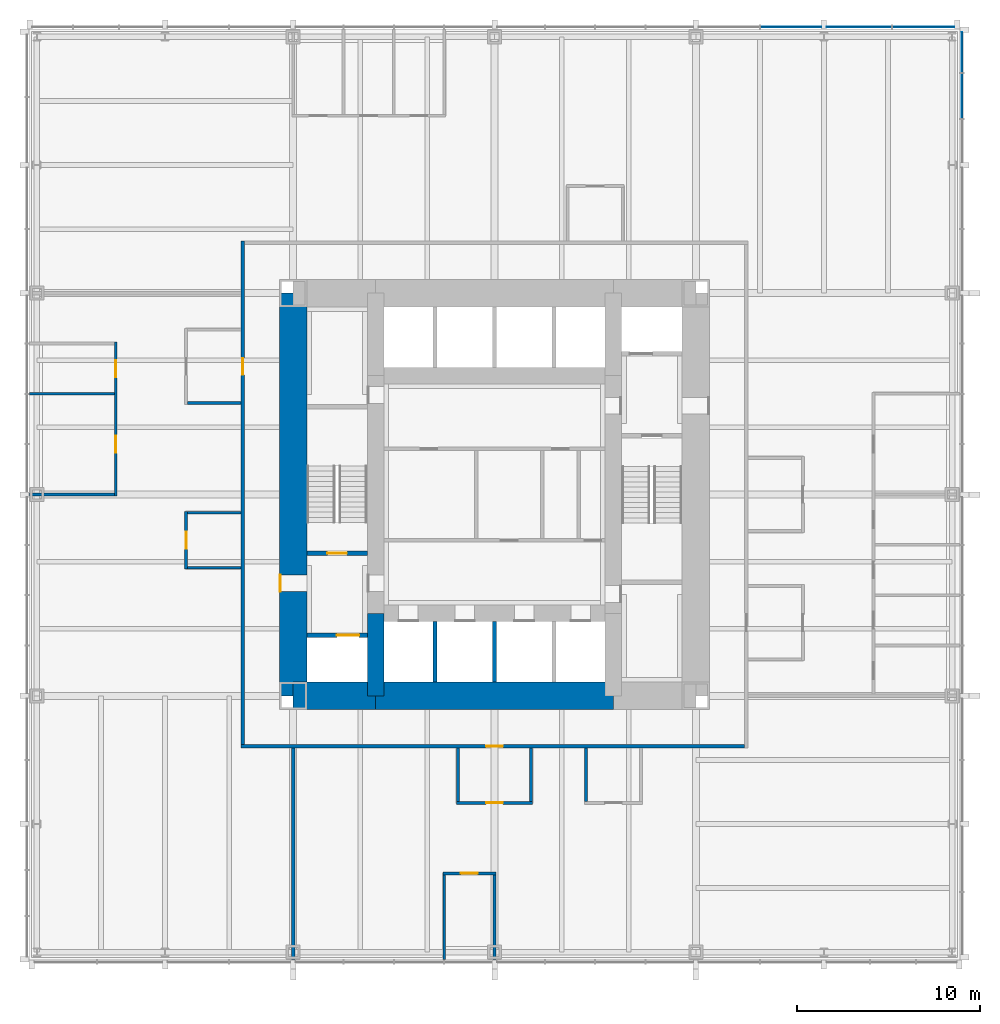
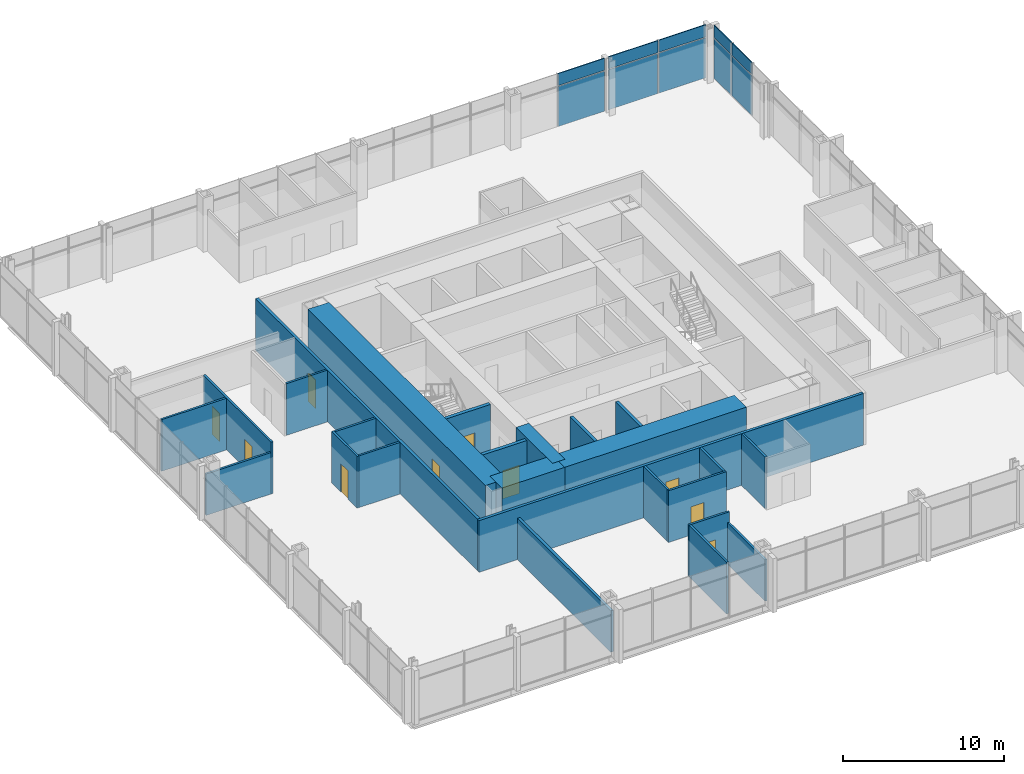
# One storey, part 9 of 12: 25 walls, 10 doors, 10 plates, 10 openings, 2 elements without a shape of their own.
"""IFC4 building model written with IfcOpenShell, lengths in metres."""

from ifc_helpers import new_model, si_unit, direction, frame, frame_2d, origin, origin_2d, place, context, subcontext, project, spatial, rectangle, extrude, material, layer, layer_set, type_object, element, fill, aggregate, save


model = new_model("IFC4")

# Units and contexts
model_context = context("Model", 3, precision=1e-05, world=origin(), true_north=direction((0.0, 1.0)))
body_context = subcontext(model_context, "Body", "Model", "MODEL_VIEW")
ifc_project = project(units=[si_unit("LENGTHUNIT", "METRE"), si_unit("AREAUNIT", "SQUARE_METRE"), si_unit("VOLUMEUNIT", "CUBIC_METRE"), si_unit("PLANEANGLEUNIT", "RADIAN"), si_unit("MASSUNIT", "GRAM", prefix="KILO")], contexts=[model_context])

# Site, building, storey
site_placement = place(None, origin())
site = spatial("IfcSite", under=ifc_project, at=site_placement, CompositionType="ELEMENT")
building_placement = place(site_placement, origin())
building = spatial("IfcBuilding", under=site, at=building_placement, Name="Trevanion Tower", CompositionType="ELEMENT")
storey_placement = place(building_placement, frame((0.0, 0.0, 36.5)))
storey = spatial("IfcBuildingStorey", under=building, at=storey_placement, Name="L08", CompositionType="ELEMENT", Elevation=36.5)

# Curtain wall, plates
ifc_material_1 = material(Name="Aluminium and glass", Category="aluminium")
curtain_wall_type = type_object("IfcCurtainWallType", Name="CW1 curtain wall", PredefinedType="USERDEFINED", material=ifc_material_1)
curtain_wall_1_placement = place(storey_placement, origin())
curtain_wall_1 = element("IfcCurtainWall", 1, at=curtain_wall_1_placement, inside=storey, type_object=curtain_wall_type, Name="CW1 L08 0", ObjectType="UNITISED CURTAIN WALL", PredefinedType="USERDEFINED")
ifc_material_2 = material(Name="Aluminium spandrel panel", Category="aluminium")
ifc_layer_1 = layer(ifc_material_2, 0.06005859375)
ifc_layer_set_1 = layer_set([ifc_layer_1], Name="CW1 spandrel panel")
plate_type_1 = type_object("IfcPlateType", Name="CW1 spandrel panel", PredefinedType="CURTAIN_PANEL", material=ifc_layer_set_1)
plate_1_placement = place(storey_placement, frame((25.550048828125, 21.77490234375, 2.997314453125), z_axis=(0.0, 0.0, 1.0), x_axis=(0.0, 1.0, 0.0)))
plate_1 = element("IfcPlate", 2, at=plate_1_placement, type_object=plate_type_1, Name="CW1 panel 16.2", PredefinedType="CURTAIN_PANEL", context=body_context, shape_type="SweptSolid", body=[
    extrude(rectangle(XDim=2.441650390625, YDim=0.06005859375, at=origin_2d()), origin(), (0.0, 0.0, 1.0), 0.91259765625),
])
plate_2_placement = place(storey_placement, frame((25.550048828125, 24.160400390625, 2.997314453125), z_axis=(0.0, 0.0, 1.0), x_axis=(0.0, 1.0, 0.0)))
plate_2 = element("IfcPlate", 3, at=plate_2_placement, type_object=plate_type_1, Name="CW1 panel 17.2", PredefinedType="CURTAIN_PANEL", context=body_context, shape_type="SweptSolid", body=[
    extrude(rectangle(XDim=2.17919921875, YDim=0.06005859375, at=origin_2d()), origin(), (0.0, 0.0, 1.0), 0.91259765625),
])

curtain_wall_2_placement = place(storey_placement, origin())
curtain_wall_2 = element("IfcCurtainWall", 4, at=curtain_wall_2_placement, inside=storey, type_object=curtain_wall_type, Name="CW1 L08 1", ObjectType="UNITISED CURTAIN WALL", PredefinedType="USERDEFINED")
plate_3_placement = place(storey_placement, frame((23.433837890625, 25.550048828125, 2.997314453125), z_axis=(0.0, 0.0, 1.0), x_axis=(-1.0, 0.0, 0.0)))
plate_3 = element("IfcPlate", 5, at=plate_3_placement, type_object=plate_type_1, Name="CW1 panel 1.2", PredefinedType="CURTAIN_PANEL", context=body_context, shape_type="SweptSolid", body=[
    extrude(rectangle(XDim=3.37255859375, YDim=0.06005859375, at=origin_2d()), origin(), (0.0, 0.0, 1.0), 0.91259765625),
])
plate_4_placement = place(storey_placement, frame((19.911376953125, 25.550048828125, 2.997314453125), z_axis=(0.0, 0.0, 1.0), x_axis=(-1.0, 0.0, 0.0)))
plate_4 = element("IfcPlate", 6, at=plate_4_placement, type_object=plate_type_1, Name="CW1 panel 2.2", PredefinedType="CURTAIN_PANEL", context=body_context, shape_type="SweptSolid", body=[
    extrude(rectangle(XDim=3.5224609375, YDim=0.06005859375, at=origin_2d()), origin(), (0.0, 0.0, 1.0), 0.91259765625),
])
plate_5_placement = place(storey_placement, frame((16.19384765625, 25.550048828125, 2.997314453125), z_axis=(0.0, 0.0, 1.0), x_axis=(-1.0, 0.0, 0.0)))
plate_5 = element("IfcPlate", 7, at=plate_5_placement, type_object=plate_type_1, Name="CW1 panel 3.2", PredefinedType="CURTAIN_PANEL", context=body_context, shape_type="SweptSolid", body=[
    extrude(rectangle(XDim=3.3125, YDim=0.06005859375, at=origin_2d()), origin(), (0.0, 0.0, 1.0), 0.91259765625),
])

# Plate
ifc_material_3 = material(Name="Insulating glass unit", Category="glass")
ifc_layer_2 = layer(ifc_material_3, 0.028076171875)
ifc_layer_set_2 = layer_set([ifc_layer_2], Name="CW1 vision panel")
plate_type_2 = type_object("IfcPlateType", Name="CW1 vision panel", PredefinedType="CURTAIN_PANEL", material=ifc_layer_set_2)
plate_6_placement = place(storey_placement, frame((25.550048828125, 21.77490234375, -0.114990234375), z_axis=(0.0, 0.0, 1.0), x_axis=(0.0, 1.0, 0.0)))
plate_6 = element("IfcPlate", 8, at=plate_6_placement, type_object=plate_type_2, Name="CW1 panel 16.1", PredefinedType="CURTAIN_PANEL", context=body_context, shape_type="SweptSolid", body=[
    extrude(rectangle(XDim=2.441650390625, YDim=0.028076171875, at=origin_2d()), origin(), (0.0, 0.0, 1.0), 3.03759765625),
])

plate_7_placement = place(storey_placement, frame((25.550048828125, 24.160400390625, -0.114990234375), z_axis=(0.0, 0.0, 1.0), x_axis=(0.0, 1.0, 0.0)))
plate_7 = element("IfcPlate", 9, at=plate_7_placement, type_object=plate_type_2, Name="CW1 panel 17.1", PredefinedType="CURTAIN_PANEL", context=body_context, shape_type="SweptSolid", body=[
    extrude(rectangle(XDim=2.17919921875, YDim=0.028076171875, at=origin_2d()), origin(), (0.0, 0.0, 1.0), 3.03759765625),
])

aggregate(curtain_wall_1, [plate_6, plate_1, plate_7, plate_2])

plate_8_placement = place(storey_placement, frame((23.433837890625, 25.550048828125, -0.114990234375), z_axis=(0.0, 0.0, 1.0), x_axis=(-1.0, 0.0, 0.0)))
plate_8 = element("IfcPlate", 10, at=plate_8_placement, type_object=plate_type_2, Name="CW1 panel 1.1", PredefinedType="CURTAIN_PANEL", context=body_context, shape_type="SweptSolid", body=[
    extrude(rectangle(XDim=3.37255859375, YDim=0.028076171875, at=origin_2d()), origin(), (0.0, 0.0, 1.0), 3.03759765625),
])

plate_9_placement = place(storey_placement, frame((19.911376953125, 25.550048828125, -0.114990234375), z_axis=(0.0, 0.0, 1.0), x_axis=(-1.0, 0.0, 0.0)))
plate_9 = element("IfcPlate", 11, at=plate_9_placement, type_object=plate_type_2, Name="CW1 panel 2.1", PredefinedType="CURTAIN_PANEL", context=body_context, shape_type="SweptSolid", body=[
    extrude(rectangle(XDim=3.5224609375, YDim=0.028076171875, at=origin_2d()), origin(), (0.0, 0.0, 1.0), 3.03759765625),
])

plate_10_placement = place(storey_placement, frame((16.19384765625, 25.550048828125, -0.114990234375), z_axis=(0.0, 0.0, 1.0), x_axis=(-1.0, 0.0, 0.0)))
plate_10 = element("IfcPlate", 12, at=plate_10_placement, type_object=plate_type_2, Name="CW1 panel 3.1", PredefinedType="CURTAIN_PANEL", context=body_context, shape_type="SweptSolid", body=[
    extrude(rectangle(XDim=3.3125, YDim=0.028076171875, at=origin_2d()), origin(), (0.0, 0.0, 1.0), 3.03759765625),
])

aggregate(curtain_wall_2, [plate_8, plate_3, plate_9, plate_4, plate_10, plate_5])

# Wall, opening, door
ifc_material_4 = material(Name="Concrete 10,000 psi", Category="concrete")
ifc_layer_3 = layer(ifc_material_4, 1.5)
ifc_layer_set_3 = layer_set([ifc_layer_3], Name="CW1 core wall 1500")
wall_type_1 = type_object("IfcWallType", Name="CW1 core wall 1500", PredefinedType="SHEAR", material=ifc_layer_set_3)
wall_1_placement = place(storey_placement, frame((-11.0, 11.0, 0.0), z_axis=(0.0, 0.0, 1.0), x_axis=(0.0, -1.0, 0.0)))
wall_1 = element("IfcWall", 13, at=wall_1_placement, inside=storey, type_object=wall_type_1, Name="CW1 CW L08", PredefinedType="SHEAR", context=body_context, shape_type="SweptSolid", body=[
    extrude(rectangle(XDim=22.0, YDim=1.5, at=frame_2d((11.0, 0.0))), origin(), (0.0, 0.0, 1.0), 4.10009765625),
])
opening_1_placement = place(wall_1_placement, frame((15.392578125, 0.0, 0.0)))
opening_1 = element("IfcOpeningElement", 14, at=opening_1_placement, cuts=wall_1, Name="Opening 08-002", PredefinedType="OPENING", context=body_context, shape_type="SweptSolid", body=[
    extrude(rectangle(XDim=0.9150390625, YDim=2.134033203125, at=frame_2d((0.45751953125, 1.06689453125))), frame((0.0, 0.760009765625, 0.0), z_axis=(0.0, -1.0, 0.0), x_axis=(1.0, 0.0, 0.0)), (0.0, 0.0, 1.0), 1.52001953125),
])
ifc_material_5 = material(Name="Hollow metal, fire rated", Category="steel")
door_type_1 = type_object("IfcDoorType", Name="D3 fire lift lobby door", OperationType="SINGLE_SWING_RIGHT", PredefinedType="DOOR", material=ifc_material_5)
door_1_placement = place(opening_1_placement, origin())
door_1 = element("IfcDoor", 15, at=door_1_placement, inside=storey, type_object=door_type_1, Name="Door 08-002", OperationType="SINGLE_SWING_RIGHT", OverallHeight=2.134033203125, OverallWidth=0.9150390625, PredefinedType="DOOR", context=body_context, shape_type="SweptSolid", body=[
    extrude(rectangle(XDim=0.9150390625, YDim=2.134033203125, at=frame_2d((0.45751953125, 1.06689453125))), frame((0.0, -0.6748046875, 0.0), z_axis=(0.0, -1.0, 0.0), x_axis=(1.0, 0.0, 0.0)), (0.0, 0.0, 1.0), 0.050048828125),
])
fill(opening_1, door_1)

# Walls
wall_2_placement = place(storey_placement, frame((-11.0, -11.0, 0.0), z_axis=(0.0, 0.0, 1.0), x_axis=(1.0, 0.0, 0.0)))
element("IfcWall", 16, at=wall_2_placement, inside=storey, type_object=wall_type_1, Name="CW1 CS1 L08", PredefinedType="SHEAR", context=body_context, shape_type="SweptSolid", body=[
    extrude(rectangle(XDim=4.5, YDim=1.5, at=frame_2d((2.25, 0.0))), origin(), (0.0, 0.0, 1.0), 4.10009765625),
])
wall_3_placement = place(storey_placement, frame((-6.5, -11.0, 0.0), z_axis=(0.0, 0.0, 1.0), x_axis=(1.0, 0.0, 0.0)))
element("IfcWall", 17, at=wall_3_placement, inside=storey, type_object=wall_type_1, Name="CW1 CS2 L08", PredefinedType="SHEAR", context=body_context, shape_type="SweptSolid", body=[
    extrude(rectangle(XDim=13.0, YDim=1.5, at=frame_2d((6.5, 0.0))), origin(), (0.0, 0.0, 1.0), 4.10009765625),
])
ifc_material_6 = material(Name="Concrete 10,000 psi", Category="concrete")
ifc_layer_4 = layer(ifc_material_6, 0.89990234375)
ifc_layer_set_4 = layer_set([ifc_layer_4], Name="CW2 core wall 900")
wall_type_2 = type_object("IfcWallType", Name="CW2 core wall 900", PredefinedType="SHEAR", material=ifc_layer_set_4)
wall_4_placement = place(storey_placement, frame((-6.5, -6.5, 0.0), z_axis=(0.0, 0.0, 1.0), x_axis=(0.0, -1.0, 0.0)))
element("IfcWall", 18, at=wall_4_placement, inside=storey, type_object=wall_type_2, Name="CW2 RW3 L08", PredefinedType="SHEAR", context=body_context, shape_type="SweptSolid", body=[
    extrude(rectangle(XDim=4.5, YDim=0.89990234375, at=frame_2d((2.25, 0.0))), origin(), (0.0, 0.0, 1.0), 4.10009765625),
])

# Wall, openings, doors
ifc_material_7 = material(Name="Gypsum board on steel studs", Category="steel")
ifc_layer_5 = layer(ifc_material_7, 0.14990234375)
ifc_layer_set_5 = layer_set([ifc_layer_5], Name="PT1 partition 150")
wall_type_3 = type_object("IfcWallType", Name="PT1 partition 150", PredefinedType="PARTITIONING", material=ifc_layer_set_5)
wall_5_placement = place(storey_placement, frame((-20.699951171875, 8.324951171875, 0.0), z_axis=(0.0, 0.0, 1.0), x_axis=(0.0, -1.0, 0.0)))
wall_5 = element("IfcWall", 19, at=wall_5_placement, inside=storey, type_object=wall_type_3, Name="PT1 L08 FC2F", PredefinedType="PARTITIONING", context=body_context, shape_type="SweptSolid", body=[
    extrude(rectangle(XDim=8.39990234375, YDim=0.14990234375, at=frame_2d((4.199951171875, 0.0))), origin(), (0.0, 0.0, 1.0), 3.909912109375),
])
opening_2_placement = place(wall_5_placement, frame((0.992431640625, 0.0, 0.0)))
opening_2 = element("IfcOpeningElement", 20, at=opening_2_placement, cuts=wall_5, Name="Opening 08-027", PredefinedType="OPENING", context=body_context, shape_type="SweptSolid", body=[
    extrude(rectangle(XDim=0.9150390625, YDim=2.134033203125, at=frame_2d((0.45751953125, 1.06689453125))), frame((0.0, 0.0849609375, 0.0), z_axis=(0.0, -1.0, 0.0), x_axis=(1.0, 0.0, 0.0)), (0.0, 0.0, 1.0), 0.169921875),
])
opening_3_placement = place(wall_5_placement, frame((5.117431640625, 0.0, 0.0)))
opening_3 = element("IfcOpeningElement", 21, at=opening_3_placement, cuts=wall_5, Name="Opening 08-028", PredefinedType="OPENING", context=body_context, shape_type="SweptSolid", body=[
    extrude(rectangle(XDim=0.9150390625, YDim=2.134033203125, at=frame_2d((0.45751953125, 1.06689453125))), frame((0.0, 0.0849609375, 0.0), z_axis=(0.0, -1.0, 0.0), x_axis=(1.0, 0.0, 0.0)), (0.0, 0.0, 1.0), 0.169921875),
])
ifc_material_8 = material(Name="Timber veneer, solid core", Category="wood")
door_type_2 = type_object("IfcDoorType", Name="D1 office and meeting room door", OperationType="SINGLE_SWING_LEFT", PredefinedType="DOOR", material=ifc_material_8)
door_2_placement = place(opening_2_placement, origin())
door_2 = element("IfcDoor", 22, at=door_2_placement, inside=storey, type_object=door_type_2, Name="Door 08-027", OperationType="SINGLE_SWING_LEFT", OverallHeight=2.134033203125, OverallWidth=0.9150390625, PredefinedType="DOOR", context=body_context, shape_type="SweptSolid", body=[
    extrude(rectangle(XDim=0.9150390625, YDim=2.134033203125, at=frame_2d((0.45751953125, 1.06689453125))), frame((0.0, 0.02490234375, 0.0), z_axis=(0.0, -1.0, 0.0), x_axis=(1.0, 0.0, 0.0)), (0.0, 0.0, 1.0), 0.050048828125),
])
fill(opening_2, door_2)
door_3_placement = place(opening_3_placement, origin())
door_3 = element("IfcDoor", 23, at=door_3_placement, inside=storey, type_object=door_type_2, Name="Door 08-028", OperationType="SINGLE_SWING_LEFT", OverallHeight=2.134033203125, OverallWidth=0.9150390625, PredefinedType="DOOR", context=body_context, shape_type="SweptSolid", body=[
    extrude(rectangle(XDim=0.9150390625, YDim=2.134033203125, at=frame_2d((0.45751953125, 1.06689453125))), frame((0.0, 0.02490234375, 0.0), z_axis=(0.0, -1.0, 0.0), x_axis=(1.0, 0.0, 0.0)), (0.0, 0.0, 1.0), 0.050048828125),
])
fill(opening_3, door_3)

# Walls
wall_6_placement = place(storey_placement, frame((-20.77490234375, 5.5, 0.0), z_axis=(0.0, 0.0, 1.0), x_axis=(-1.0, 0.0, 0.0)))
element("IfcWall", 24, at=wall_6_placement, inside=storey, type_object=wall_type_3, Name="PT1 L08 FC2S1", PredefinedType="PARTITIONING", context=body_context, shape_type="SweptSolid", body=[
    extrude(rectangle(XDim=4.64013671875, YDim=0.14990234375, at=frame_2d((2.320068359375, 0.0))), origin(), (0.0, 0.0, 1.0), 3.909912109375),
])
wall_7_placement = place(storey_placement, frame((-20.77490234375, 0.0, 0.0), z_axis=(0.0, 0.0, 1.0), x_axis=(-1.0, 0.0, 0.0)))
element("IfcWall", 25, at=wall_7_placement, inside=storey, type_object=wall_type_3, Name="PT1 L08 FC2S3", PredefinedType="PARTITIONING", context=body_context, shape_type="SweptSolid", body=[
    extrude(rectangle(XDim=4.64013671875, YDim=0.14990234375, at=frame_2d((2.320068359375, 0.0))), origin(), (0.0, 0.0, 1.0), 3.130126953125),
])

# Wall, opening, door
wall_8_placement = place(storey_placement, frame((-2.824951171875, -20.699951171875, 0.0), z_axis=(0.0, 0.0, 1.0), x_axis=(1.0, 0.0, 0.0)))
wall_8 = element("IfcWall", 26, at=wall_8_placement, inside=storey, type_object=wall_type_3, Name="PT1 L08 FC3F", PredefinedType="PARTITIONING", context=body_context, shape_type="SweptSolid", body=[
    extrude(rectangle(XDim=2.89990234375, YDim=0.14990234375, at=frame_2d((1.449951171875, 0.0))), origin(), (0.0, 0.0, 1.0), 3.909912109375),
])
opening_4_placement = place(wall_8_placement, frame((0.992431640625, 0.0, 0.0)))
opening_4 = element("IfcOpeningElement", 27, at=opening_4_placement, cuts=wall_8, Name="Opening 08-029", PredefinedType="OPENING", context=body_context, shape_type="SweptSolid", body=[
    extrude(rectangle(XDim=0.9150390625, YDim=2.134033203125, at=frame_2d((0.45751953125, 1.06689453125))), frame((0.0, 0.0849609375, 0.0), z_axis=(0.0, -1.0, 0.0), x_axis=(1.0, 0.0, 0.0)), (0.0, 0.0, 1.0), 0.169921875),
])
door_4_placement = place(opening_4_placement, origin())
door_4 = element("IfcDoor", 28, at=door_4_placement, inside=storey, type_object=door_type_2, Name="Door 08-029", OperationType="SINGLE_SWING_LEFT", OverallHeight=2.134033203125, OverallWidth=0.9150390625, PredefinedType="DOOR", context=body_context, shape_type="SweptSolid", body=[
    extrude(rectangle(XDim=0.9150390625, YDim=2.134033203125, at=frame_2d((0.45751953125, 1.06689453125))), frame((0.0, 0.02490234375, 0.0), z_axis=(0.0, -1.0, 0.0), x_axis=(1.0, 0.0, 0.0)), (0.0, 0.0, 1.0), 0.050048828125),
])
fill(opening_4, door_4)

# Walls
wall_9_placement = place(storey_placement, frame((-2.75, -20.77490234375, 0.0), z_axis=(0.0, 0.0, 1.0), x_axis=(0.0, -1.0, 0.0)))
element("IfcWall", 29, at=wall_9_placement, inside=storey, type_object=wall_type_3, Name="PT1 L08 FC3S0", PredefinedType="PARTITIONING", context=body_context, shape_type="SweptSolid", body=[
    extrude(rectangle(XDim=4.64013671875, YDim=0.14990234375, at=frame_2d((2.320068359375, 0.0))), origin(), (0.0, 0.0, 1.0), 3.909912109375),
])
wall_10_placement = place(storey_placement, frame((0.0, -20.77490234375, 0.0), z_axis=(0.0, 0.0, 1.0), x_axis=(0.0, -1.0, 0.0)))
element("IfcWall", 30, at=wall_10_placement, inside=storey, type_object=wall_type_3, Name="PT1 L08 FC3S1", PredefinedType="PARTITIONING", context=body_context, shape_type="SweptSolid", body=[
    extrude(rectangle(XDim=4.64013671875, YDim=0.14990234375, at=frame_2d((2.320068359375, 0.0))), origin(), (0.0, 0.0, 1.0), 3.130126953125),
])
wall_11_placement = place(storey_placement, frame((-16.77490234375, 5.0, 0.0), z_axis=(0.0, 0.0, 1.0), x_axis=(1.0, 0.0, 0.0)))
element("IfcWall", 31, at=wall_11_placement, inside=storey, type_object=wall_type_3, Name="PT1 L08 IN20S1", PredefinedType="PARTITIONING", context=body_context, shape_type="SweptSolid", body=[
    extrude(rectangle(XDim=2.9248046875, YDim=0.14990234375, at=frame_2d((1.46240234375, 0.0))), origin(), (0.0, 0.0, 1.0), 3.909912109375),
])

# Wall, opening, door
wall_12_placement = place(storey_placement, frame((-16.85009765625, -0.925048828125, 0.0), z_axis=(0.0, 0.0, 1.0), x_axis=(0.0, -1.0, 0.0)))
wall_12 = element("IfcWall", 32, at=wall_12_placement, inside=storey, type_object=wall_type_3, Name="PT1 L08 IN21F", PredefinedType="PARTITIONING", context=body_context, shape_type="SweptSolid", body=[
    extrude(rectangle(XDim=3.14990234375, YDim=0.14990234375, at=frame_2d((1.574951171875, 0.0))), origin(), (0.0, 0.0, 1.0), 3.909912109375),
])
opening_5_placement = place(wall_12_placement, frame((1.117431640625, 0.0, 0.0)))
opening_5 = element("IfcOpeningElement", 33, at=opening_5_placement, cuts=wall_12, Name="Opening 08-035", PredefinedType="OPENING", context=body_context, shape_type="SweptSolid", body=[
    extrude(rectangle(XDim=0.9150390625, YDim=2.134033203125, at=frame_2d((0.45751953125, 1.06689453125))), frame((0.0, 0.0849609375, 0.0), z_axis=(0.0, -1.0, 0.0), x_axis=(1.0, 0.0, 0.0)), (0.0, 0.0, 1.0), 0.169921875),
])
door_5_placement = place(opening_5_placement, origin())
door_5 = element("IfcDoor", 34, at=door_5_placement, inside=storey, type_object=door_type_2, Name="Door 08-035", OperationType="SINGLE_SWING_LEFT", OverallHeight=2.134033203125, OverallWidth=0.9150390625, PredefinedType="DOOR", context=body_context, shape_type="SweptSolid", body=[
    extrude(rectangle(XDim=0.9150390625, YDim=2.134033203125, at=frame_2d((0.45751953125, 1.06689453125))), frame((0.0, 0.02490234375, 0.0), z_axis=(0.0, -1.0, 0.0), x_axis=(1.0, 0.0, 0.0)), (0.0, 0.0, 1.0), 0.050048828125),
])
fill(opening_5, door_5)

# Walls
for number, where, z_axis, x_axis, name in (
    (35, (-16.77490234375, -1.0, 0.0), (0.0, 0.0, 1.0), (1.0, 0.0, 0.0), "PT1 L08 IN21S0"),
    (36, (-16.77490234375, -4.0, 0.0), (0.0, 0.0, 1.0), (1.0, 0.0, 0.0), "PT1 L08 IN21S1"),
):
    element("IfcWall", number, at=place(storey_placement, frame(where, z_axis=z_axis, x_axis=x_axis)), inside=storey, type_object=wall_type_3, Name=name, PredefinedType="PARTITIONING", context=body_context, shape_type="SweptSolid", body=[
        extrude(rectangle(XDim=2.9248046875, YDim=0.14990234375, at=frame_2d((1.46240234375, 0.0))), origin(), (0.0, 0.0, 1.0), 3.909912109375),
    ])

# Wall, opening, door
wall_13_placement = place(storey_placement, frame((-2.074951171875, -16.85009765625, 0.0), z_axis=(0.0, 0.0, 1.0), x_axis=(1.0, 0.0, 0.0)))
wall_13 = element("IfcWall", 37, at=wall_13_placement, inside=storey, type_object=wall_type_3, Name="PT1 L08 IN30F", PredefinedType="PARTITIONING", context=body_context, shape_type="SweptSolid", body=[
    extrude(rectangle(XDim=4.14990234375, YDim=0.14990234375, at=frame_2d((2.074951171875, 0.0))), origin(), (0.0, 0.0, 1.0), 3.909912109375),
])
opening_6_placement = place(wall_13_placement, frame((1.617431640625, 0.0, 0.0)))
opening_6 = element("IfcOpeningElement", 38, at=opening_6_placement, cuts=wall_13, Name="Opening 08-036", PredefinedType="OPENING", context=body_context, shape_type="SweptSolid", body=[
    extrude(rectangle(XDim=0.9150390625, YDim=2.134033203125, at=frame_2d((0.45751953125, 1.06689453125))), frame((0.0, 0.0849609375, 0.0), z_axis=(0.0, -1.0, 0.0), x_axis=(1.0, 0.0, 0.0)), (0.0, 0.0, 1.0), 0.169921875),
])
door_6_placement = place(opening_6_placement, origin())
door_6 = element("IfcDoor", 39, at=door_6_placement, inside=storey, type_object=door_type_2, Name="Door 08-036", OperationType="SINGLE_SWING_LEFT", OverallHeight=2.134033203125, OverallWidth=0.9150390625, PredefinedType="DOOR", context=body_context, shape_type="SweptSolid", body=[
    extrude(rectangle(XDim=0.9150390625, YDim=2.134033203125, at=frame_2d((0.45751953125, 1.06689453125))), frame((0.0, 0.02490234375, 0.0), z_axis=(0.0, -1.0, 0.0), x_axis=(1.0, 0.0, 0.0)), (0.0, 0.0, 1.0), 0.050048828125),
])
fill(opening_6, door_6)

# Walls
for number, where, z_axis, x_axis, name in (
    (40, (-2.0, -16.77490234375, 0.0), (0.0, 0.0, 1.0), (0.0, 1.0, 0.0), "PT1 L08 IN30S0"),
    (41, (2.0, -16.77490234375, 0.0), (0.0, 0.0, 1.0), (0.0, 1.0, 0.0), "PT1 L08 IN30S1"),
    (42, (5.0, -16.77490234375, 0.0), (0.0, 0.0, 1.0), (0.0, 1.0, 0.0), "PT1 L08 IN31S0"),
):
    element("IfcWall", number, at=place(storey_placement, frame(where, z_axis=z_axis, x_axis=x_axis)), inside=storey, type_object=wall_type_3, Name=name, PredefinedType="PARTITIONING", context=body_context, shape_type="SweptSolid", body=[
        extrude(rectangle(XDim=2.9248046875, YDim=0.14990234375, at=frame_2d((1.46240234375, 0.0))), origin(), (0.0, 0.0, 1.0), 3.909912109375),
    ])

# Wall, opening, door
ifc_material_9 = material(Name="Concrete masonry, grouted", Category="masonry")
ifc_layer_6 = layer(ifc_material_9, 0.199951171875)
ifc_layer_set_6 = layer_set([ifc_layer_6], Name="PT2 partition 200 1 HR")
wall_type_4 = type_object("IfcWallType", Name="PT2 partition 200 1 HR", PredefinedType="PARTITIONING", material=ifc_layer_set_6)
wall_14_placement = place(storey_placement, frame((-13.75, 13.85009765625, 0.0), z_axis=(0.0, 0.0, 1.0), x_axis=(0.0, -1.0, 0.0)))
wall_14 = element("IfcWall", 43, at=wall_14_placement, inside=storey, type_object=wall_type_4, Name="PT2 L08 OC2", PredefinedType="PARTITIONING", context=body_context, shape_type="SweptSolid", body=[
    extrude(rectangle(XDim=27.5, YDim=0.199951171875, at=frame_2d((13.75, 0.0))), origin(), (0.0, 0.0, 1.0), 3.909912109375),
])
opening_7_placement = place(wall_14_placement, frame((6.392578125, 0.0, 0.0)))
opening_7 = element("IfcOpeningElement", 44, at=opening_7_placement, cuts=wall_14, Name="Opening 08-034", PredefinedType="OPENING", context=body_context, shape_type="SweptSolid", body=[
    extrude(rectangle(XDim=0.9150390625, YDim=2.134033203125, at=frame_2d((0.45751953125, 1.06689453125))), frame((0.0, 0.10986328125, 0.0), z_axis=(0.0, -1.0, 0.0), x_axis=(1.0, 0.0, 0.0)), (0.0, 0.0, 1.0), 0.219970703125),
])
ifc_material_10 = material(Name="Timber veneer, fire rated", Category="wood")
door_type_3 = type_object("IfcDoorType", Name="D10 office door in a one hour wall", OperationType="SINGLE_SWING_LEFT", PredefinedType="DOOR", material=ifc_material_10)
door_7_placement = place(opening_7_placement, origin())
door_7 = element("IfcDoor", 45, at=door_7_placement, inside=storey, type_object=door_type_3, Name="Door 08-034", OperationType="SINGLE_SWING_LEFT", OverallHeight=2.134033203125, OverallWidth=0.9150390625, PredefinedType="DOOR", context=body_context, shape_type="SweptSolid", body=[
    extrude(rectangle(XDim=0.9150390625, YDim=2.134033203125, at=frame_2d((0.45751953125, 1.06689453125))), frame((0.0, 0.02490234375, 0.0), z_axis=(0.0, -1.0, 0.0), x_axis=(1.0, 0.0, 0.0)), (0.0, 0.0, 1.0), 0.050048828125),
])
fill(opening_7, door_7)

wall_15_placement = place(storey_placement, frame((-13.85009765625, -13.75, 0.0), z_axis=(0.0, 0.0, 1.0), x_axis=(1.0, 0.0, 0.0)))
wall_15 = element("IfcWall", 46, at=wall_15_placement, inside=storey, type_object=wall_type_4, Name="PT2 L08 OC3", PredefinedType="PARTITIONING", context=body_context, shape_type="SweptSolid", body=[
    extrude(rectangle(XDim=27.5, YDim=0.199951171875, at=frame_2d((13.75, 0.0))), origin(), (0.0, 0.0, 1.0), 3.909912109375),
])
opening_8_placement = place(wall_15_placement, frame((13.392578125, 0.0, 0.0)))
opening_8 = element("IfcOpeningElement", 47, at=opening_8_placement, cuts=wall_15, Name="Opening 08-037", PredefinedType="OPENING", context=body_context, shape_type="SweptSolid", body=[
    extrude(rectangle(XDim=0.9150390625, YDim=2.134033203125, at=frame_2d((0.45751953125, 1.06689453125))), frame((0.0, 0.10986328125, 0.0), z_axis=(0.0, -1.0, 0.0), x_axis=(1.0, 0.0, 0.0)), (0.0, 0.0, 1.0), 0.219970703125),
])
door_8_placement = place(opening_8_placement, origin())
door_8 = element("IfcDoor", 48, at=door_8_placement, inside=storey, type_object=door_type_3, Name="Door 08-037", OperationType="SINGLE_SWING_LEFT", OverallHeight=2.134033203125, OverallWidth=0.9150390625, PredefinedType="DOOR", context=body_context, shape_type="SweptSolid", body=[
    extrude(rectangle(XDim=0.9150390625, YDim=2.134033203125, at=frame_2d((0.45751953125, 1.06689453125))), frame((0.0, 0.02490234375, 0.0), z_axis=(0.0, -1.0, 0.0), x_axis=(1.0, 0.0, 0.0)), (0.0, 0.0, 1.0), 0.050048828125),
])
fill(opening_8, door_8)

# Walls
wall_16_placement = place(storey_placement, frame((-11.0, -13.85009765625, 0.0), z_axis=(0.0, 0.0, 1.0), x_axis=(0.0, -1.0, 0.0)))
element("IfcWall", 49, at=wall_16_placement, inside=storey, type_object=wall_type_4, Name="PT2 L08 DM2", PredefinedType="PARTITIONING", context=body_context, shape_type="SweptSolid", body=[
    extrude(rectangle(XDim=11.56494140625, YDim=0.199951171875, at=frame_2d((5.782470703125, 0.0))), origin(), (0.0, 0.0, 1.0), 3.130126953125),
])
ifc_material_11 = material(Name="Concrete masonry, grouted", Category="masonry")
ifc_layer_7 = layer(ifc_material_11, 0.199951171875)
ifc_layer_set_7 = layer_set([ifc_layer_7], Name="PT2 partition 200 2 HR")
wall_type_5 = type_object("IfcWallType", Name="PT2 partition 200 2 HR", PredefinedType="PARTITIONING", material=ifc_layer_set_7)
for number, where, z_axis, x_axis, name in (
    (50, (-3.25, -10.25, 0.0), (0.0, 0.0, 1.0), (0.0, 1.0, 0.0), "PT2 L08 SS0"),
    (51, (0.0, -10.25, 0.0), (0.0, 0.0, 1.0), (0.0, 1.0, 0.0), "PT2 L08 SS1"),
):
    element("IfcWall", number, at=place(storey_placement, frame(where, z_axis=z_axis, x_axis=x_axis)), inside=storey, type_object=wall_type_5, Name=name, PredefinedType="PARTITIONING", context=body_context, shape_type="SweptSolid", body=[
        extrude(rectangle(XDim=3.300048828125, YDim=0.199951171875, at=frame_2d((1.64990234375, 0.0))), origin(), (0.0, 0.0, 1.0), 3.909912109375),
    ])

# Wall, opening, door
ifc_material_12 = material(Name="Concrete masonry, grouted, two-hour", Category="masonry")
ifc_layer_8 = layer(ifc_material_12, 0.25)
ifc_layer_set_8 = layer_set([ifc_layer_8], Name="PT3 partition 250 2 HR")
wall_type_6 = type_object("IfcWallType", Name="PT3 partition 250 2 HR", PredefinedType="PARTITIONING", material=ifc_layer_set_8)
wall_17_placement = place(storey_placement, frame((-6.949951171875, -7.699951171875, 0.0), z_axis=(0.0, 0.0, 1.0), x_axis=(-1.0, 0.0, 0.0)))
wall_17 = element("IfcWall", 52, at=wall_17_placement, inside=storey, type_object=wall_type_6, Name="PT3 L08 WP3", PredefinedType="PARTITIONING", context=body_context, shape_type="SweptSolid", body=[
    extrude(rectangle(XDim=3.300048828125, YDim=0.25, at=frame_2d((1.64990234375, 0.0))), origin(), (0.0, 0.0, 1.0), 3.909912109375),
])
opening_9_placement = place(wall_17_placement, frame((0.449951171875, 0.0, 0.0)))
opening_9 = element("IfcOpeningElement", 53, at=opening_9_placement, cuts=wall_17, Name="Opening 08-008", PredefinedType="OPENING", context=body_context, shape_type="SweptSolid", body=[
    extrude(rectangle(XDim=1.218994140625, YDim=2.134033203125, at=frame_2d((0.609375, 1.06689453125))), frame((0.0, 0.135009765625, 0.0), z_axis=(0.0, -1.0, 0.0), x_axis=(1.0, 0.0, 0.0)), (0.0, 0.0, 1.0), 0.27001953125),
])
ifc_material_13 = material(Name="Stainless steel, fire rated", Category="steel")
door_type_4 = type_object("IfcDoorType", Name="LD2 fire service lift landing door", OperationType="SLIDING_TO_LEFT", PredefinedType="DOOR", material=ifc_material_13)
door_9_placement = place(opening_9_placement, origin())
door_9 = element("IfcDoor", 54, at=door_9_placement, inside=storey, type_object=door_type_4, Name="Door 08-008", OperationType="SLIDING_TO_LEFT", OverallHeight=2.134033203125, OverallWidth=1.218994140625, PredefinedType="DOOR", context=body_context, shape_type="SweptSolid", body=[
    extrude(rectangle(XDim=1.218994140625, YDim=2.134033203125, at=frame_2d((0.609375, 1.06689453125))), frame((0.0, 0.02490234375, 0.0), z_axis=(0.0, -1.0, 0.0), x_axis=(1.0, 0.0, 0.0)), (0.0, 0.0, 1.0), 0.050048828125),
])
fill(opening_9, door_9)

ifc_material_14 = material(Name="Reinforced masonry, fully grouted", Category="masonry")
ifc_layer_9 = layer(ifc_material_14, 0.25)
ifc_layer_set_9 = layer_set([ifc_layer_9], Name="SW1 stair shaft wall 250")
wall_type_7 = type_object("IfcWallType", Name="SW1 stair shaft wall 250", PredefinedType="SOLIDWALL", material=ifc_layer_set_9)
wall_18_placement = place(storey_placement, frame((-6.949951171875, -3.199951171875, 0.0), z_axis=(0.0, 0.0, 1.0), x_axis=(-1.0, 0.0, 0.0)))
wall_18 = element("IfcWall", 55, at=wall_18_placement, inside=storey, type_object=wall_type_7, Name="SW1 L08 WP2", PredefinedType="SOLIDWALL", context=body_context, shape_type="SweptSolid", body=[
    extrude(rectangle(XDim=3.300048828125, YDim=0.25, at=frame_2d((1.64990234375, 0.0))), origin(), (0.0, 0.0, 1.0), 3.909912109375),
])
opening_10_placement = place(wall_18_placement, frame((1.116455078125, 0.0, 0.0)))
opening_10 = element("IfcOpeningElement", 56, at=opening_10_placement, cuts=wall_18, Name="Opening 08-006", PredefinedType="OPENING", context=body_context, shape_type="SweptSolid", body=[
    extrude(rectangle(XDim=1.06689453125, YDim=2.134033203125, at=frame_2d((0.533447265625, 1.06689453125))), frame((0.0, 0.135009765625, 0.0), z_axis=(0.0, -1.0, 0.0), x_axis=(1.0, 0.0, 0.0)), (0.0, 0.0, 1.0), 0.27001953125),
])
ifc_material_15 = material(Name="Hollow metal, fire rated", Category="steel")
door_type_5 = type_object("IfcDoorType", Name="D2 exit stair door", OperationType="SINGLE_SWING_LEFT", PredefinedType="DOOR", material=ifc_material_15)
door_10_placement = place(opening_10_placement, origin())
door_10 = element("IfcDoor", 57, at=door_10_placement, inside=storey, type_object=door_type_5, Name="Door 08-006", OperationType="SINGLE_SWING_LEFT", OverallHeight=2.134033203125, OverallWidth=1.06689453125, PredefinedType="DOOR", context=body_context, shape_type="SweptSolid", body=[
    extrude(rectangle(XDim=1.06689453125, YDim=2.134033203125, at=frame_2d((0.533447265625, 1.06689453125))), frame((0.0, 0.02490234375, 0.0), z_axis=(0.0, -1.0, 0.0), x_axis=(1.0, 0.0, 0.0)), (0.0, 0.0, 1.0), 0.050048828125),
])
fill(opening_10, door_10)

save(model, "model.ifc")
